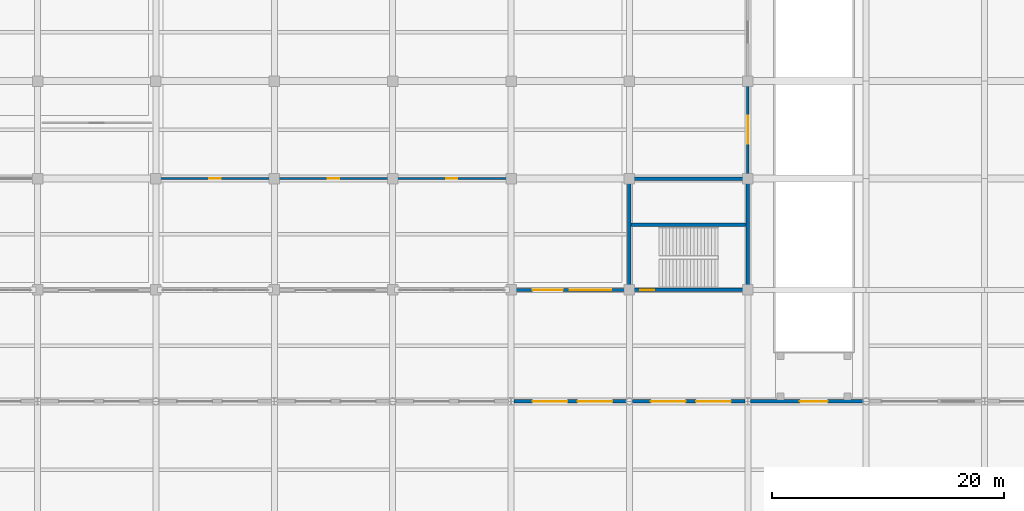
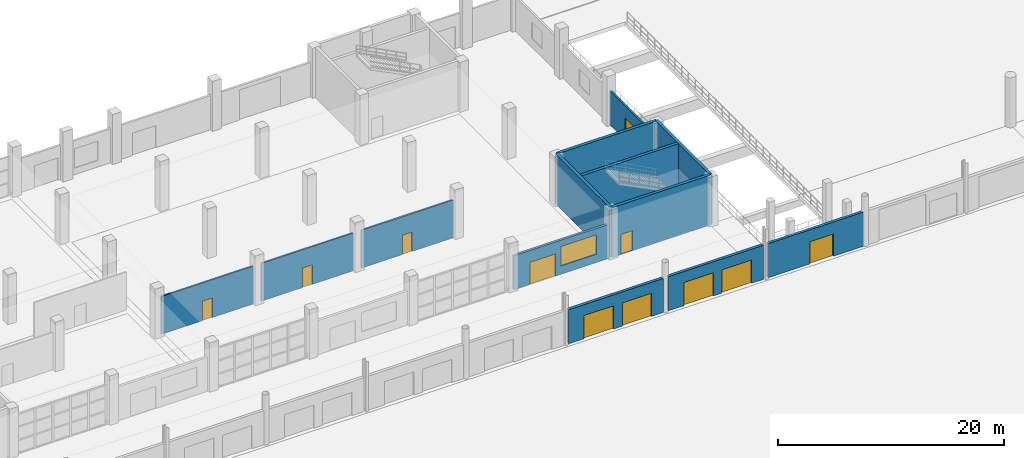
# One storey, part 90 of 124: 13 walls, 11 doors, 1 window, 12 openings.
"""IFC4 building model written with IfcOpenShell, lengths in metres."""

from ifc_helpers import new_model, si_unit, direction, frame, frame_2d, origin, place, context, subcontext, project, spatial, rectangle, extrude, material, layer, layer_set, type_object, element, fill, save


model = new_model("IFC4")

# Units and contexts
model_context = context("Model", 3, precision=1e-05, world=origin(), true_north=direction((0.0, 1.0)))
body_context = subcontext(model_context, "Body", "Model", "MODEL_VIEW")
ifc_project = project(units=[si_unit("LENGTHUNIT", "METRE"), si_unit("AREAUNIT", "SQUARE_METRE"), si_unit("VOLUMEUNIT", "CUBIC_METRE"), si_unit("PLANEANGLEUNIT", "RADIAN"), si_unit("MASSUNIT", "GRAM", prefix="KILO")], contexts=[model_context])

# Site, building, storey
site_placement = place(None, origin())
site = spatial("IfcSite", under=ifc_project, at=site_placement, CompositionType="ELEMENT")
building_placement = place(site_placement, origin())
building = spatial("IfcBuilding", under=site, at=building_placement, Name="Brelvane Convention Centre", CompositionType="ELEMENT")
storey_placement = place(building_placement, origin())
storey = spatial("IfcBuildingStorey", under=building, at=storey_placement, Name="L00", CompositionType="ELEMENT", Elevation=0.0)

# Wall, openings, doors
ifc_material_1 = material(Name="Insulated Autoclaved Aerated Concrete Block Grade 1", Category="concrete")
ifc_layer_1 = layer(ifc_material_1, 0.280029296875)
ifc_layer_set_1 = layer_set([ifc_layer_1], Name="Insulated Autoclaved Aerated Concrete Block Grade 1")
wall_type_1 = type_object("IfcWallType", Name="Exterior Wall EW-01", PredefinedType="STANDARD", material=ifc_layer_set_1)
wall_1_placement = place(storey_placement, frame((92.0400390625, 99.60009765625, 0.0), z_axis=(0.0, 0.0, 1.0), x_axis=(1.0, 0.0, 0.0)))
wall_1 = element("IfcWall", 1, at=wall_1_placement, inside=storey, type_object=wall_type_1, Name="Exterior Wall L00 V1N-L00-10", PredefinedType="STANDARD", context=body_context, shape_type="SweptSolid", body=[
    extrude(rectangle(XDim=9.719970703125, YDim=0.280029296875, at=frame_2d((4.85986328125, 0.0))), origin(), (0.0, 0.0, 1.0), 3.679931640625),
])
opening_1_placement = place(wall_1_placement, frame((1.610107421875, 0.0, 0.0)))
opening_1 = element("IfcOpeningElement", 2, at=opening_1_placement, cuts=wall_1, Name="Opening DR-EX-01", PredefinedType="OPENING", context=body_context, shape_type="SweptSolid", body=[
    extrude(rectangle(XDim=3.0, YDim=2.5, at=frame_2d((1.5, 1.25))), frame((0.0, 0.14990234375, 0.0), z_axis=(0.0, -1.0, 0.0), x_axis=(1.0, 0.0, 0.0)), (0.0, 0.0, 1.0), 0.300048828125),
])
opening_2_placement = place(wall_1_placement, frame((5.498046875, 0.0, 0.0)))
opening_2 = element("IfcOpeningElement", 3, at=opening_2_placement, cuts=wall_1, Name="Opening DR-EX-01", PredefinedType="OPENING", context=body_context, shape_type="SweptSolid", body=[
    extrude(rectangle(XDim=3.0, YDim=2.5, at=frame_2d((1.5, 1.25))), frame((0.0, 0.14990234375, 0.0), z_axis=(0.0, -1.0, 0.0), x_axis=(1.0, 0.0, 0.0)), (0.0, 0.0, 1.0), 0.300048828125),
])
ifc_material_2 = material(Name="Anodised Aluminium Alloy 6063-T6", Category="aluminium")
door_type_1 = type_object("IfcDoorType", Name="Exterior Door DR-EX-01", OperationType="NOTDEFINED", PredefinedType="DOOR", material=ifc_material_2)
door_1_placement = place(opening_1_placement, origin())
door_1 = element("IfcDoor", 4, at=door_1_placement, inside=storey, type_object=door_type_1, Name="Final Exit Door EXH-N10A (DR-EX-01)", OperationType="DOUBLE_DOOR_SINGLE_SWING", OverallHeight=2.5, OverallWidth=3.0, PredefinedType="DOOR", context=body_context, shape_type="SweptSolid", body=[
    extrude(rectangle(XDim=3.0, YDim=2.5, at=frame_2d((1.5, 1.25))), frame((0.0, 0.02490234375, 0.0), z_axis=(0.0, -1.0, 0.0), x_axis=(1.0, 0.0, 0.0)), (0.0, 0.0, 1.0), 0.050048828125),
])
fill(opening_1, door_1)
door_2_placement = place(opening_2_placement, origin())
door_2 = element("IfcDoor", 5, at=door_2_placement, inside=storey, type_object=door_type_1, Name="Final Exit Door EXH-N10B (DR-EX-01)", OperationType="DOUBLE_DOOR_SINGLE_SWING", OverallHeight=2.5, OverallWidth=3.0, PredefinedType="DOOR", context=body_context, shape_type="SweptSolid", body=[
    extrude(rectangle(XDim=3.0, YDim=2.5, at=frame_2d((1.5, 1.25))), frame((0.0, 0.02490234375, 0.0), z_axis=(0.0, -1.0, 0.0), x_axis=(1.0, 0.0, 0.0)), (0.0, 0.0, 1.0), 0.050048828125),
])
fill(opening_2, door_2)

wall_2_placement = place(storey_placement, frame((102.239990234375, 99.60009765625, 0.0), z_axis=(0.0, 0.0, 1.0), x_axis=(1.0, 0.0, 0.0)))
wall_2 = element("IfcWall", 6, at=wall_2_placement, inside=storey, type_object=wall_type_1, Name="Exterior Wall L00 V1N-L00-11", PredefinedType="STANDARD", context=body_context, shape_type="SweptSolid", body=[
    extrude(rectangle(XDim=9.719970703125, YDim=0.280029296875, at=frame_2d((4.85986328125, 0.0))), origin(), (0.0, 0.0, 1.0), 3.679931640625),
])
opening_3_placement = place(wall_2_placement, frame((1.610107421875, 0.0, 0.0)))
opening_3 = element("IfcOpeningElement", 7, at=opening_3_placement, cuts=wall_2, Name="Opening DR-EX-01", PredefinedType="OPENING", context=body_context, shape_type="SweptSolid", body=[
    extrude(rectangle(XDim=3.0, YDim=2.5, at=frame_2d((1.5, 1.25))), frame((0.0, 0.14990234375, 0.0), z_axis=(0.0, -1.0, 0.0), x_axis=(1.0, 0.0, 0.0)), (0.0, 0.0, 1.0), 0.300048828125),
])
opening_4_placement = place(wall_2_placement, frame((5.498046875, 0.0, 0.0)))
opening_4 = element("IfcOpeningElement", 8, at=opening_4_placement, cuts=wall_2, Name="Opening DR-EX-01", PredefinedType="OPENING", context=body_context, shape_type="SweptSolid", body=[
    extrude(rectangle(XDim=3.0, YDim=2.5, at=frame_2d((1.5, 1.25))), frame((0.0, 0.14990234375, 0.0), z_axis=(0.0, -1.0, 0.0), x_axis=(1.0, 0.0, 0.0)), (0.0, 0.0, 1.0), 0.300048828125),
])
door_3_placement = place(opening_3_placement, origin())
door_3 = element("IfcDoor", 9, at=door_3_placement, inside=storey, type_object=door_type_1, Name="Final Exit Door EXH-N11A (DR-EX-01)", OperationType="DOUBLE_DOOR_SINGLE_SWING", OverallHeight=2.5, OverallWidth=3.0, PredefinedType="DOOR", context=body_context, shape_type="SweptSolid", body=[
    extrude(rectangle(XDim=3.0, YDim=2.5, at=frame_2d((1.5, 1.25))), frame((0.0, 0.02490234375, 0.0), z_axis=(0.0, -1.0, 0.0), x_axis=(1.0, 0.0, 0.0)), (0.0, 0.0, 1.0), 0.050048828125),
])
fill(opening_3, door_3)
door_4_placement = place(opening_4_placement, origin())
door_4 = element("IfcDoor", 10, at=door_4_placement, inside=storey, type_object=door_type_1, Name="Final Exit Door EXH-N11B (DR-EX-01)", OperationType="DOUBLE_DOOR_SINGLE_SWING", OverallHeight=2.5, OverallWidth=3.0, PredefinedType="DOOR", context=body_context, shape_type="SweptSolid", body=[
    extrude(rectangle(XDim=3.0, YDim=2.5, at=frame_2d((1.5, 1.25))), frame((0.0, 0.02490234375, 0.0), z_axis=(0.0, -1.0, 0.0), x_axis=(1.0, 0.0, 0.0)), (0.0, 0.0, 1.0), 0.050048828125),
])
fill(opening_4, door_4)

# Wall, opening, door
wall_3_placement = place(storey_placement, frame((112.43994140625, 99.60009765625, 0.0), z_axis=(0.0, 0.0, 1.0), x_axis=(1.0, 0.0, 0.0)))
wall_3 = element("IfcWall", 11, at=wall_3_placement, inside=storey, type_object=wall_type_1, Name="Exterior Wall L00 V1N-L00-12", PredefinedType="STANDARD", context=body_context, shape_type="SweptSolid", body=[
    extrude(rectangle(XDim=9.719970703125, YDim=0.280029296875, at=frame_2d((4.85986328125, 0.0))), origin(), (0.0, 0.0, 1.0), 3.679931640625),
])
opening_5_placement = place(wall_3_placement, frame((4.242919921875, 0.0, 0.0)))
opening_5 = element("IfcOpeningElement", 12, at=opening_5_placement, cuts=wall_3, Name="Opening DR-EX-04", PredefinedType="OPENING", context=body_context, shape_type="SweptSolid", body=[
    extrude(rectangle(XDim=2.39990234375, YDim=2.39990234375, at=frame_2d((1.199951171875, 1.199951171875))), frame((0.0, 0.14990234375, 0.0), z_axis=(0.0, -1.0, 0.0), x_axis=(1.0, 0.0, 0.0)), (0.0, 0.0, 1.0), 0.300048828125),
])
ifc_material_3 = material(Name="Anodised Aluminium Alloy 6063-T6", Category="aluminium")
door_type_2 = type_object("IfcDoorType", Name="Exterior Door DR-EX-04", OperationType="NOTDEFINED", PredefinedType="DOOR", material=ifc_material_3)
door_5_placement = place(opening_5_placement, origin())
door_5 = element("IfcDoor", 13, at=door_5_placement, inside=storey, type_object=door_type_2, Name="Final Exit Door EXH-N12B (DR-EX-04)", OperationType="DOUBLE_DOOR_SINGLE_SWING", OverallHeight=2.39990234375, OverallWidth=2.39990234375, PredefinedType="DOOR", context=body_context, shape_type="SweptSolid", body=[
    extrude(rectangle(XDim=2.39990234375, YDim=2.39990234375, at=frame_2d((1.199951171875, 1.199951171875))), frame((0.0, 0.02490234375, 0.0), z_axis=(0.0, -1.0, 0.0), x_axis=(1.0, 0.0, 0.0)), (0.0, 0.0, 1.0), 0.050048828125),
])
fill(opening_5, door_5)

# Wall, openings, door, window
ifc_material_4 = material(Name="Insulated Autoclaved Aerated Concrete Block Grade 1", Category="concrete")
ifc_layer_2 = layer(ifc_material_4, 0.239990234375)
ifc_layer_set_2 = layer_set([ifc_layer_2], Name="Insulated Autoclaved Aerated Concrete Block Grade 1")
wall_type_2 = type_object("IfcWallType", Name="Exterior Wall EW-03", PredefinedType="STANDARD", material=ifc_layer_set_2)
wall_4_placement = place(storey_placement, frame((92.0400390625, 109.199951171875, 0.0), z_axis=(0.0, 0.0, 1.0), x_axis=(1.0, 0.0, 0.0)))
wall_4 = element("IfcWall", 14, at=wall_4_placement, inside=storey, type_object=wall_type_2, Name="Exterior Wall L00 V4S-10", PredefinedType="STANDARD", context=body_context, shape_type="SweptSolid", body=[
    extrude(rectangle(XDim=9.719970703125, YDim=0.239990234375, at=frame_2d((4.85986328125, 0.0))), origin(), (0.0, 0.0, 1.0), 3.679931640625),
])
opening_6_placement = place(wall_4_placement, frame((1.615966796875, 0.0, 0.0)))
opening_6 = element("IfcOpeningElement", 15, at=opening_6_placement, cuts=wall_4, Name="Opening DR-EX-03", PredefinedType="OPENING", context=body_context, shape_type="SweptSolid", body=[
    extrude(rectangle(XDim=2.60009765625, YDim=2.39990234375, at=frame_2d((1.300048828125, 1.199951171875))), frame((0.0, 0.1298828125, 0.0), z_axis=(0.0, -1.0, 0.0), x_axis=(1.0, 0.0, 0.0)), (0.0, 0.0, 1.0), 0.260009765625),
])
opening_7_placement = place(wall_4_placement, frame((4.81005859375, 0.0, 0.89990234375)))
opening_7 = element("IfcOpeningElement", 16, at=opening_7_placement, cuts=wall_4, Name="Opening WN-03", PredefinedType="OPENING", context=body_context, shape_type="SweptSolid", body=[
    extrude(rectangle(XDim=3.60009765625, YDim=2.10009765625, at=frame_2d((1.800048828125, 1.050048828125))), frame((0.0, 0.1298828125, 0.0), z_axis=(0.0, -1.0, 0.0), x_axis=(1.0, 0.0, 0.0)), (0.0, 0.0, 1.0), 0.260009765625),
])
ifc_material_5 = material(Name="Anodised Aluminium Alloy 6063-T6", Category="aluminium")
door_type_3 = type_object("IfcDoorType", Name="Exterior Door DR-EX-03", OperationType="NOTDEFINED", PredefinedType="DOOR", material=ifc_material_5)
door_6_placement = place(opening_6_placement, frame((2.60009765625, 0.0, 0.0), z_axis=(0.0, 0.0, 1.0), x_axis=(-1.0, 0.0, 0.0)))
door_6 = element("IfcDoor", 17, at=door_6_placement, inside=storey, type_object=door_type_3, Name="Final Exit Door MEET-S10 (DR-EX-03)", OperationType="DOUBLE_DOOR_SINGLE_SWING", OverallHeight=2.39990234375, OverallWidth=2.60009765625, PredefinedType="DOOR", context=body_context, shape_type="SweptSolid", body=[
    extrude(rectangle(XDim=2.60009765625, YDim=2.39990234375, at=frame_2d((1.300048828125, 1.199951171875))), frame((0.0, 0.02490234375, 0.0), z_axis=(0.0, -1.0, 0.0), x_axis=(1.0, 0.0, 0.0)), (0.0, 0.0, 1.0), 0.050048828125),
])
fill(opening_6, door_6)
ifc_material_6 = material(Name="Double Glazed Low-E Laminated Unit")
window_type = type_object("IfcWindowType", Name="Window WN-03", PartitioningType="TRIPLE_PANEL_VERTICAL", PredefinedType="WINDOW", material=ifc_material_6)
window_placement = place(opening_7_placement, origin())
window = element("IfcWindow", 18, at=window_placement, inside=storey, type_object=window_type, Name="Facade Window L00-V4S-10-014", OverallHeight=2.10009765625, OverallWidth=3.60009765625, PartitioningType="TRIPLE_PANEL_VERTICAL", PredefinedType="WINDOW", context=body_context, shape_type="SweptSolid", body=[
    extrude(rectangle(XDim=3.60009765625, YDim=2.10009765625, at=frame_2d((1.800048828125, 1.050048828125))), frame((0.0, 0.030029296875, 0.0), z_axis=(0.0, -1.0, 0.0), x_axis=(1.0, 0.0, 0.0)), (0.0, 0.0, 1.0), 0.06005859375),
])
fill(opening_7, window)

# Wall, opening, door
ifc_material_7 = material(Name="Insulated Autoclaved Aerated Concrete Block Grade 1", Category="concrete")
ifc_layer_3 = layer(ifc_material_7, 0.205078125)
ifc_layer_set_3 = layer_set([ifc_layer_3], Name="Insulated Autoclaved Aerated Concrete Block Grade 1")
wall_type_3 = type_object("IfcWallType", Name="Exterior Wall EW-05", PredefinedType="STANDARD", material=ifc_layer_set_3)
wall_5_placement = place(storey_placement, frame((112.199951171875, 119.0400390625, 0.0), z_axis=(0.0, 0.0, 1.0), x_axis=(0.0, 1.0, 0.0)))
wall_5 = element("IfcWall", 19, at=wall_5_placement, inside=storey, type_object=wall_type_3, Name="Exterior Wall L00 V4E-2", PredefinedType="STANDARD", context=body_context, shape_type="SweptSolid", body=[
    extrude(rectangle(XDim=7.919921875, YDim=0.205078125, at=frame_2d((3.9599609375, 0.0))), origin(), (0.0, 0.0, 1.0), 3.679931640625),
])
opening_8_placement = place(wall_5_placement, frame((2.760009765625, 0.0, 0.0)))
opening_8 = element("IfcOpeningElement", 20, at=opening_8_placement, cuts=wall_5, Name="Opening DR-EX-04", PredefinedType="OPENING", context=body_context, shape_type="SweptSolid", body=[
    extrude(rectangle(XDim=2.39990234375, YDim=2.39990234375, at=frame_2d((1.199951171875, 1.199951171875))), frame((0.0, 0.112548828125, 0.0), z_axis=(0.0, -1.0, 0.0), x_axis=(1.0, 0.0, 0.0)), (0.0, 0.0, 1.0), 0.22509765625),
])
door_7_placement = place(opening_8_placement, frame((2.39990234375, 0.0, 0.0), z_axis=(0.0, 0.0, 1.0), x_axis=(-1.0, 0.0, 0.0)))
door_7 = element("IfcDoor", 21, at=door_7_placement, inside=storey, type_object=door_type_2, Name="Final Exit Door KITCH-YARD-E1 (DR-EX-04)", OperationType="DOUBLE_DOOR_SINGLE_SWING", OverallHeight=2.39990234375, OverallWidth=2.39990234375, PredefinedType="DOOR", context=body_context, shape_type="SweptSolid", body=[
    extrude(rectangle(XDim=2.39990234375, YDim=2.39990234375, at=frame_2d((1.199951171875, 1.199951171875))), frame((0.0, 0.02490234375, 0.0), z_axis=(0.0, -1.0, 0.0), x_axis=(1.0, 0.0, 0.0)), (0.0, 0.0, 1.0), 0.050048828125),
])
fill(opening_8, door_7)

ifc_material_8 = material(Name="Fire-Rated Acoustic Gypsum Partition Board Grade A")
ifc_layer_4 = layer(ifc_material_8, 0.14501953125)
ifc_layer_set_4 = layer_set([ifc_layer_4], Name="Fire-Rated Acoustic Gypsum Partition Board Grade A")
wall_type_4 = type_object("IfcWallType", Name="Interior Wall IW-AC-145", PredefinedType="PARTITIONING", material=ifc_layer_set_4)
wall_6_placement = place(storey_placement, frame((71.800048828125, 118.800048828125, 0.0), z_axis=(0.0, 0.0, 1.0), x_axis=(1.0, 0.0, 0.0)))
wall_6 = element("IfcWall", 22, at=wall_6_placement, inside=storey, type_object=wall_type_4, Name="Interior Partition L00-KITCH2", PredefinedType="PARTITIONING", context=body_context, shape_type="SweptSolid", body=[
    extrude(rectangle(XDim=9.39990234375, YDim=0.14501953125, at=frame_2d((4.699951171875, 0.0))), origin(), (0.0, 0.0, 1.0), 4.080078125),
])
opening_9_placement = place(wall_6_placement, frame((4.18994140625, 0.0, 0.0)))
opening_9 = element("IfcOpeningElement", 23, at=opening_9_placement, cuts=wall_6, Name="Opening DR-IN-12R", PredefinedType="OPENING", context=body_context, shape_type="SweptSolid", body=[
    extrude(rectangle(XDim=1.02001953125, YDim=2.1201171875, at=frame_2d((0.510009765625, 1.06005859375))), frame((0.0, 0.08251953125, 0.0), z_axis=(0.0, -1.0, 0.0), x_axis=(1.0, 0.0, 0.0)), (0.0, 0.0, 1.0), 0.1650390625),
])
ifc_material_9 = material(Name="Solid-Core Fire-Rated Hardwood Leaf Grade 1", Category="wood")
door_type_4 = type_object("IfcDoorType", Name="Interior Door DR-IN-12R", OperationType="NOTDEFINED", PredefinedType="DOOR", material=ifc_material_9)
door_8_placement = place(opening_9_placement, origin())
door_8 = element("IfcDoor", 24, at=door_8_placement, inside=storey, type_object=door_type_4, Name="Interior Door L00-KITCH2 (DR-IN-12R)", OperationType="SINGLE_SWING_RIGHT", OverallHeight=2.1201171875, OverallWidth=1.02001953125, PredefinedType="DOOR", context=body_context, shape_type="SweptSolid", body=[
    extrude(rectangle(XDim=1.02001953125, YDim=2.1201171875, at=frame_2d((0.510009765625, 1.06005859375))), frame((0.0, 0.02490234375, 0.0), z_axis=(0.0, -1.0, 0.0), x_axis=(1.0, 0.0, 0.0)), (0.0, 0.0, 1.0), 0.050048828125),
])
fill(opening_9, door_8)

ifc_material_10 = material(Name="Fire-Rated Acoustic Gypsum Partition Board Grade A")
ifc_layer_5 = layer(ifc_material_10, 0.155029296875)
ifc_layer_set_5 = layer_set([ifc_layer_5], Name="Fire-Rated Acoustic Gypsum Partition Board Grade A")
wall_type_5 = type_object("IfcWallType", Name="Interior Wall IW-AC-155", PredefinedType="PARTITIONING", material=ifc_layer_set_5)
wall_7_placement = place(storey_placement, frame((61.60009765625, 118.800048828125, 0.0), z_axis=(0.0, 0.0, 1.0), x_axis=(1.0, 0.0, 0.0)))
wall_7 = element("IfcWall", 25, at=wall_7_placement, inside=storey, type_object=wall_type_5, Name="Interior Partition L00-KITCH", PredefinedType="PARTITIONING", context=body_context, shape_type="SweptSolid", body=[
    extrude(rectangle(XDim=9.39990234375, YDim=0.155029296875, at=frame_2d((4.699951171875, 0.0))), origin(), (0.0, 0.0, 1.0), 4.080078125),
])
opening_10_placement = place(wall_7_placement, frame((4.2099609375, 0.0, 0.0)))
opening_10 = element("IfcOpeningElement", 26, at=opening_10_placement, cuts=wall_7, Name="Opening DR-IN-12L", PredefinedType="OPENING", context=body_context, shape_type="SweptSolid", body=[
    extrude(rectangle(XDim=0.97998046875, YDim=2.1201171875, at=frame_2d((0.489990234375, 1.06005859375))), frame((0.0, 0.08740234375, 0.0), z_axis=(0.0, -1.0, 0.0), x_axis=(1.0, 0.0, 0.0)), (0.0, 0.0, 1.0), 0.175048828125),
])
ifc_material_11 = material(Name="Solid-Core Fire-Rated Hardwood Leaf Grade 1", Category="wood")
door_type_5 = type_object("IfcDoorType", Name="Interior Door DR-IN-12L", OperationType="NOTDEFINED", PredefinedType="DOOR", material=ifc_material_11)
door_9_placement = place(opening_10_placement, origin())
door_9 = element("IfcDoor", 27, at=door_9_placement, inside=storey, type_object=door_type_5, Name="Interior Door L00-KITCH (DR-IN-12L)", OperationType="SINGLE_SWING_LEFT", OverallHeight=2.1201171875, OverallWidth=0.97998046875, PredefinedType="DOOR", context=body_context, shape_type="SweptSolid", body=[
    extrude(rectangle(XDim=0.97998046875, YDim=2.1201171875, at=frame_2d((0.489990234375, 1.06005859375))), frame((0.0, 0.02490234375, 0.0), z_axis=(0.0, -1.0, 0.0), x_axis=(1.0, 0.0, 0.0)), (0.0, 0.0, 1.0), 0.050048828125),
])
fill(opening_10, door_9)

ifc_material_12 = material(Name="Fire-Rated Acoustic Gypsum Partition Board Grade A")
ifc_layer_6 = layer(ifc_material_12, 0.1650390625)
ifc_layer_set_6 = layer_set([ifc_layer_6], Name="Fire-Rated Acoustic Gypsum Partition Board Grade A")
wall_type_6 = type_object("IfcWallType", Name="Interior Wall IW-AC-165", PredefinedType="PARTITIONING", material=ifc_layer_set_6)
wall_8_placement = place(storey_placement, frame((82.0, 118.800048828125, 0.0), z_axis=(0.0, 0.0, 1.0), x_axis=(1.0, 0.0, 0.0)))
wall_8 = element("IfcWall", 28, at=wall_8_placement, inside=storey, type_object=wall_type_6, Name="Interior Partition L00-KITCH3", PredefinedType="PARTITIONING", context=body_context, shape_type="SweptSolid", body=[
    extrude(rectangle(XDim=9.39990234375, YDim=0.1650390625, at=frame_2d((4.699951171875, 0.0))), origin(), (0.0, 0.0, 1.0), 4.080078125),
])
opening_11_placement = place(wall_8_placement, frame((4.219970703125, 0.0, 0.0)))
opening_11 = element("IfcOpeningElement", 29, at=opening_11_placement, cuts=wall_8, Name="Opening DR-IN-03R", PredefinedType="OPENING", context=body_context, shape_type="SweptSolid", body=[
    extrude(rectangle(XDim=0.9599609375, YDim=2.10009765625, at=frame_2d((0.47998046875, 1.050048828125))), frame((0.0, 0.092529296875, 0.0), z_axis=(0.0, -1.0, 0.0), x_axis=(1.0, 0.0, 0.0)), (0.0, 0.0, 1.0), 0.18505859375),
])
ifc_material_13 = material(Name="Solid-Core Fire-Rated Hardwood Leaf Grade 1", Category="wood")
door_type_6 = type_object("IfcDoorType", Name="Interior Door DR-IN-03R", OperationType="NOTDEFINED", PredefinedType="DOOR", material=ifc_material_13)
door_10_placement = place(opening_11_placement, origin())
door_10 = element("IfcDoor", 30, at=door_10_placement, inside=storey, type_object=door_type_6, Name="Interior Door L00-KITCH3 (DR-IN-03R)", OperationType="SINGLE_SWING_RIGHT", OverallHeight=2.10009765625, OverallWidth=0.9599609375, PredefinedType="DOOR", context=body_context, shape_type="SweptSolid", body=[
    extrude(rectangle(XDim=0.9599609375, YDim=2.10009765625, at=frame_2d((0.47998046875, 1.050048828125))), frame((0.0, 0.02490234375, 0.0), z_axis=(0.0, -1.0, 0.0), x_axis=(1.0, 0.0, 0.0)), (0.0, 0.0, 1.0), 0.050048828125),
])
fill(opening_11, door_10)

ifc_material_14 = material(Name="Concrete M50", Category="concrete")
ifc_layer_7 = layer(ifc_material_14, 0.300048828125)
ifc_layer_set_7 = layer_set([ifc_layer_7], Name="Concrete M50")
wall_type_7 = type_object("IfcWallType", Name="Structural Wall WL-CORE-300", PredefinedType="SHEAR", material=ifc_layer_set_7)
wall_9_placement = place(storey_placement, frame((102.0, 109.199951171875, 0.0), z_axis=(0.0, 0.0, 1.0), x_axis=(1.0, 0.0, 0.0)))
wall_9 = element("IfcWall", 31, at=wall_9_placement, inside=storey, type_object=wall_type_7, Name="Stair Core ST-20 Wall S (L00)", PredefinedType="SHEAR", context=body_context, shape_type="SweptSolid", body=[
    extrude(rectangle(XDim=10.199951171875, YDim=0.300048828125, at=frame_2d((5.10009765625, 0.0))), origin(), (0.0, 0.0, 1.0), 5.39990234375),
])
opening_12_placement = place(wall_9_placement, frame((0.919921875, 0.0, 0.0)))
opening_12 = element("IfcOpeningElement", 32, at=opening_12_placement, cuts=wall_9, Name="Opening DR-EX-08", PredefinedType="OPENING", context=body_context, shape_type="SweptSolid", body=[
    extrude(rectangle(XDim=1.199951171875, YDim=2.199951171875, at=frame_2d((0.60009765625, 1.10009765625))), frame((0.0, 0.159912109375, 0.0), z_axis=(0.0, -1.0, 0.0), x_axis=(1.0, 0.0, 0.0)), (0.0, 0.0, 1.0), 0.320068359375),
])
ifc_material_15 = material(Name="Anodised Aluminium Alloy 6063-T6", Category="aluminium")
door_type_7 = type_object("IfcDoorType", Name="Exterior Door DR-EX-08", OperationType="NOTDEFINED", PredefinedType="DOOR", material=ifc_material_15)
door_11_placement = place(opening_12_placement, frame((1.199951171875, 0.0, 0.0), z_axis=(0.0, 0.0, 1.0), x_axis=(-1.0, 0.0, 0.0)))
door_11 = element("IfcDoor", 33, at=door_11_placement, inside=storey, type_object=door_type_7, Name="Stair ST-20 Final Exit Door", OperationType="SINGLE_SWING_LEFT", OverallHeight=2.199951171875, OverallWidth=1.199951171875, PredefinedType="DOOR", context=body_context, shape_type="SweptSolid", body=[
    extrude(rectangle(XDim=1.199951171875, YDim=2.199951171875, at=frame_2d((0.60009765625, 1.10009765625))), frame((0.0, 0.02490234375, 0.0), z_axis=(0.0, -1.0, 0.0), x_axis=(1.0, 0.0, 0.0)), (0.0, 0.0, 1.0), 0.050048828125),
])
fill(opening_12, door_11)

# Walls
wall_10_placement = place(storey_placement, frame((102.0, 118.800048828125, 0.0), z_axis=(0.0, 0.0, 1.0), x_axis=(1.0, 0.0, 0.0)))
element("IfcWall", 34, at=wall_10_placement, inside=storey, type_object=wall_type_7, Name="Stair Core ST-20 Wall N (L00)", PredefinedType="SHEAR", context=body_context, shape_type="SweptSolid", body=[
    extrude(rectangle(XDim=10.199951171875, YDim=0.300048828125, at=frame_2d((5.10009765625, 0.0))), origin(), (0.0, 0.0, 1.0), 5.39990234375),
])
for number, where, z_axis, x_axis, name in (
    (35, (102.0, 109.199951171875, 0.0), (0.0, 0.0, 1.0), (0.0, 1.0, 0.0), "Stair Core ST-20 Wall W (L00)"),
    (36, (112.199951171875, 109.199951171875, 0.0), (0.0, 0.0, 1.0), (0.0, 1.0, 0.0), "Stair Core ST-20 Wall E (L00)"),
):
    element("IfcWall", number, at=place(storey_placement, frame(where, z_axis=z_axis, x_axis=x_axis)), inside=storey, type_object=wall_type_7, Name=name, PredefinedType="SHEAR", context=body_context, shape_type="SweptSolid", body=[
        extrude(rectangle(XDim=9.60009765625, YDim=0.300048828125, at=frame_2d((4.800048828125, 0.0))), origin(), (0.0, 0.0, 1.0), 5.39990234375),
    ])
wall_11_placement = place(storey_placement, frame((102.14990234375, 114.800048828125, 0.0), z_axis=(0.0, 0.0, 1.0), x_axis=(1.0, 0.0, 0.0)))
element("IfcWall", 37, at=wall_11_placement, inside=storey, type_object=wall_type_7, Name="Stair Core ST-20 Well Wall (L00)", PredefinedType="SHEAR", context=body_context, shape_type="SweptSolid", body=[
    extrude(rectangle(XDim=9.900146484375, YDim=0.300048828125, at=frame_2d((4.9501953125, 0.0))), origin(), (0.0, 0.0, 1.0), 5.39990234375),
])

save(model, "model.ifc")
